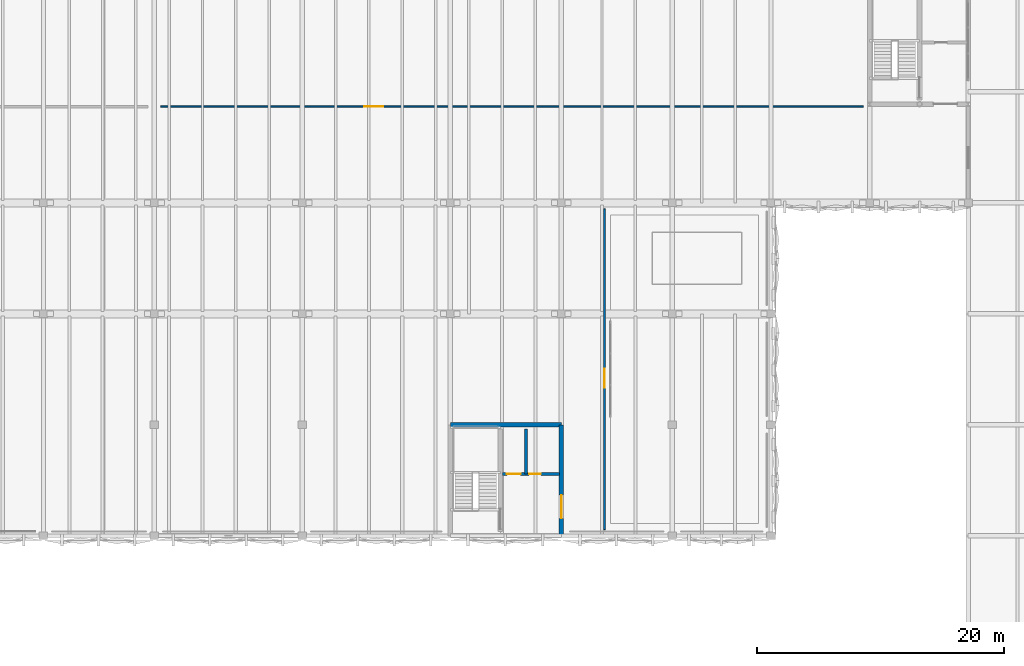
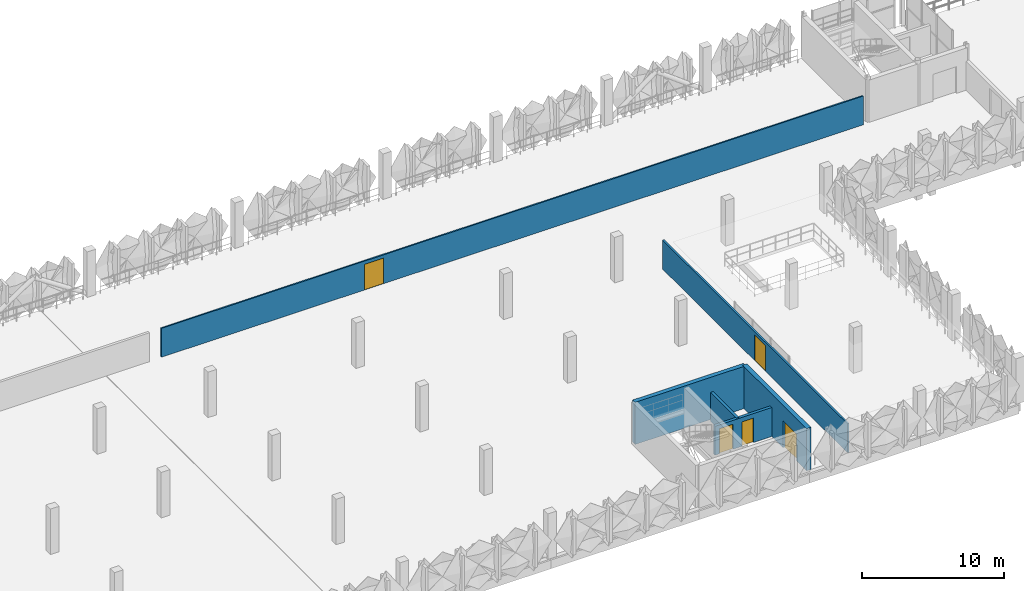
# One storey, part 30 of 52: 6 walls, 5 doors, 5 openings.
"""IFC4 building model written with IfcOpenShell, lengths in metres."""

import ifcopenshell
import ifcopenshell.guid

model = None  # the IFC model being written
_history = None  # IfcOwnerHistory: only IFC2X3 demands one
_inside = {}  # id of a spatial element -> (the spatial element, [elements in it])
_under = {}  # id of a project, library or spatial element -> (it, [spatial elements below it])
_declared = {}  # id of a project -> (the project, [libraries it declares])
_typed = {}  # id of a type object -> (the type object, [elements of that type])
_made_of = {}  # id of a material, layer set ... -> (it, [elements and type objects made of it])


def new_model(schema):
    """Start an empty IFC model of exactly this schema.

    Asked for "IFC4X3", IfcOpenShell would pick the latest addendum, in which some entities
    have other attributes; the version numbers below select the first issue.
    IFC2X3 requires an IfcOwnerHistory on every rooted entity: one is made here for all.
    """
    global model, _history
    if schema == "IFC4X3":
        model = ifcopenshell.file(schema_version=(4, 3, 0, 0))
    else:
        model = ifcopenshell.file(schema=schema)
    _inside.clear()
    _under.clear()
    _declared.clear()
    _typed.clear()
    _made_of.clear()
    _history = None
    if model.schema == "IFC2X3":
        org = make("IfcOrganization", Name="unknown")
        user = make(
            "IfcPersonAndOrganization",
            ThePerson=make("IfcPerson", FamilyName="unknown"),
            TheOrganization=org,
        )
        app = make(
            "IfcApplication",
            ApplicationDeveloper=org,
            Version="unknown",
            ApplicationFullName="unknown",
            ApplicationIdentifier="unknown",
        )
        _history = make(
            "IfcOwnerHistory",
            OwningUser=user,
            OwningApplication=app,
            ChangeAction="ADDED",
            CreationDate=0,
        )
    return model


def make(cls, **values):
    """One entity of the class cls with the attributes given. An attribute that is None is left unset."""
    return model.create_entity(
        cls, **{name: value for name, value in values.items() if value is not None}
    )


def rooted(cls, **values):
    """An entity with a GlobalId (a new one), such as an element, a storey or a relation."""
    return make(cls, GlobalId=ifcopenshell.guid.new(), OwnerHistory=_history, **values)


def si_unit(unit_type, name, prefix=None):
    """IfcSIUnit, for example si_unit("LENGTHUNIT", "METRE", prefix="MILLI")."""
    return make("IfcSIUnit", UnitType=unit_type, Prefix=prefix, Name=name)


def derived_unit(unit_type, elements):
    """IfcDerivedUnit: a product of units, each with its exponent."""
    return make(
        "IfcDerivedUnit",
        Elements=[
            make("IfcDerivedUnitElement", Unit=unit, Exponent=power)
            for unit, power in elements
        ],
        UnitType=unit_type,
    )


def assignment(units):
    """IfcUnitAssignment: the units of a project."""
    return None if units is None else make("IfcUnitAssignment", Units=units)


def point(xyz):
    """IfcCartesianPoint."""
    return None if xyz is None else make("IfcCartesianPoint", Coordinates=xyz)


def direction(xyz):
    """IfcDirection."""
    return None if xyz is None else make("IfcDirection", DirectionRatios=xyz)


def frame(location, z_axis=None, x_axis=None):
    """IfcAxis2Placement3D, a coordinate frame: its origin and axes. An axis left out is left unset."""
    return make(
        "IfcAxis2Placement3D",
        Location=point(location),
        Axis=direction(z_axis),
        RefDirection=direction(x_axis),
    )


def frame_2d(location, x_axis=None):
    """IfcAxis2Placement2D, a coordinate frame in the plane: its origin and x axis."""
    return make(
        "IfcAxis2Placement2D", Location=point(location), RefDirection=direction(x_axis)
    )


def origin():
    """The frame at (0, 0, 0) with its axes left unset."""
    return frame((0.0, 0.0, 0.0))


def place(relative_to, where):
    """IfcLocalPlacement: puts the frame where relative to a parent placement (None: the world)."""
    return make(
        "IfcLocalPlacement", PlacementRelTo=relative_to, RelativePlacement=where
    )


def context(
    kind, dimensions, precision=None, world=None, true_north=None, identifier=None
):
    """IfcGeometricRepresentationContext, for example the 3D "Model" context."""
    return make(
        "IfcGeometricRepresentationContext",
        ContextIdentifier=identifier,
        ContextType=kind,
        CoordinateSpaceDimension=dimensions,
        Precision=precision,
        WorldCoordinateSystem=world,
        TrueNorth=true_north,
    )


def subcontext(parent, identifier, kind, view, scale=None):
    """IfcGeometricRepresentationSubContext, for example "Body" below "Model"."""
    return make(
        "IfcGeometricRepresentationSubContext",
        ContextIdentifier=identifier,
        ContextType=kind,
        ParentContext=parent,
        TargetScale=scale,
        TargetView=view,
    )


def project(units=None, contexts=None):
    """IfcProject with its units and contexts."""
    return rooted(
        "IfcProject",
        Name="project",
        RepresentationContexts=contexts,
        UnitsInContext=assignment(units),
    )


def spatial(cls, under=None, at=None, **own):
    """A site, building, storey or space (cls), placed at a placement, below another one or the project."""
    s = rooted(cls, ObjectPlacement=at, **own)
    if under is not None:
        _under.setdefault(under.id(), (under, []))[1].append(s)
    return s


def profile(cls, at=None, kind="AREA", **sizes):
    """A parametric profile (cls). Its sizes go by their IFC names, for example OverallWidth=200.0."""
    return make(cls, ProfileType=kind, Position=at, **sizes)


def rectangle(**sizes):
    """IfcRectangleProfileDef."""
    return profile("IfcRectangleProfileDef", **sizes)


def extrude(swept, where, along, depth):
    """IfcExtrudedAreaSolid: the profile swept, set in the frame where, extruded along a direction by depth."""
    return make(
        "IfcExtrudedAreaSolid",
        SweptArea=swept,
        Position=where,
        ExtrudedDirection=direction(along),
        Depth=depth,
    )


def shape(context_of_items, identifier, shape_type, items):
    """IfcShapeRepresentation: the items that make up one representation, for example the "Body"."""
    return make(
        "IfcShapeRepresentation",
        ContextOfItems=context_of_items,
        RepresentationIdentifier=identifier,
        RepresentationType=shape_type,
        Items=items,
    )


def material(Name=None, Category=None):
    """IfcMaterial."""
    return make("IfcMaterial", Name=Name, Category=Category)


def layer(
    of_material, thickness, ventilated=None, Name=None, Category=None, Priority=None
):
    """IfcMaterialLayer: one layer of a wall or slab, of a material (None: an air gap)."""
    return make(
        "IfcMaterialLayer",
        Material=of_material,
        LayerThickness=thickness,
        IsVentilated=ventilated,
        Name=Name,
        Category=Category,
        Priority=Priority,
    )


def layer_set(layers, Name=None):
    """IfcMaterialLayerSet."""
    return make("IfcMaterialLayerSet", MaterialLayers=layers, LayerSetName=Name)


def made_of(thing, what):
    """Note that an element or type object is made of a material, layer set ...; save() writes the relation."""
    if what is not None:
        _made_of.setdefault(what.id(), (what, []))[1].append(thing)
    return thing


def type_object(cls, material=None, **own):
    """A type object (cls), such as IfcWallType, which elements share."""
    return made_of(rooted(cls, **own), material)


def element(
    cls,
    number,
    at=None,
    inside=None,
    cuts=None,
    type_object=None,
    material=None,
    context=None,
    identifier="Body",
    shape_type=None,
    held_by="IfcProductDefinitionShape",
    body=None,
    shapes=None,
    **own,
):
    """One element of the class cls, such as IfcWall. Its Tag is "e" and its number.

    at: its placement. inside: the storey or other place that contains it. cuts: it is an
    opening in that element (IfcRelVoidsElement). A single representation is given by context,
    identifier, shape_type and body (its items); several are given by shapes. held_by: the class
    of the entity that holds the representations. save() writes the other relations.
    """
    e = rooted(cls, Tag="e%d" % number, ObjectPlacement=at, **own)
    if body is not None:
        shapes = [shape(context, identifier, shape_type, body)]
    if shapes is not None:
        e.Representation = make(held_by, Representations=shapes)
    if inside is not None:
        _inside.setdefault(inside.id(), (inside, []))[1].append(e)
    if cuts is not None:
        rooted(
            "IfcRelVoidsElement", RelatingBuildingElement=cuts, RelatedOpeningElement=e
        )
    if type_object is not None:
        _typed.setdefault(type_object.id(), (type_object, []))[1].append(e)
    return made_of(e, material)


def fill(opening, filler):
    """IfcRelFillsElement: the door or window that sits in an opening."""
    return rooted(
        "IfcRelFillsElement",
        RelatingOpeningElement=opening,
        RelatedBuildingElement=filler,
    )


def aggregate(whole, parts):
    """IfcRelAggregates: a whole, such as a stair, and the parts it consists of."""
    return rooted("IfcRelAggregates", RelatingObject=whole, RelatedObjects=parts)


def save(model, path):
    """Write the relations noted so far, then the file.

    IfcRelAggregates (storeys below a building ...), IfcRelContainedInSpatialStructure (elements
    in a storey), IfcRelDefinesByType, IfcRelAssociatesMaterial and IfcRelDeclares: one each for
    every whole, place, type object, material and project.
    """
    for whole, parts in _under.values():
        aggregate(whole, parts)
    for where, things in _inside.values():
        rooted(
            "IfcRelContainedInSpatialStructure",
            RelatedElements=things,
            RelatingStructure=where,
        )
    for kind, things in _typed.values():
        rooted("IfcRelDefinesByType", RelatedObjects=things, RelatingType=kind)
    for what, things in _made_of.values():
        rooted("IfcRelAssociatesMaterial", RelatedObjects=things, RelatingMaterial=what)
    for by, libraries in _declared.values():
        rooted("IfcRelDeclares", RelatingContext=by, RelatedDefinitions=libraries)
    model.write(path)


model = new_model("IFC4")

# Units and contexts
model_context = context("Model", 3, precision=1e-05, world=origin(), true_north=direction((0.0, 1.0)))
body_context = subcontext(model_context, "Body", "Model", "MODEL_VIEW")
ifc_project = project(units=[si_unit("LENGTHUNIT", "METRE"), si_unit("AREAUNIT", "SQUARE_METRE"), si_unit("VOLUMEUNIT", "CUBIC_METRE"), si_unit("PLANEANGLEUNIT", "RADIAN"), si_unit("MASSUNIT", "GRAM", prefix="KILO"), si_unit("THERMODYNAMICTEMPERATUREUNIT", "KELVIN"), derived_unit("THERMALTRANSMITTANCEUNIT", [(si_unit("POWERUNIT", "WATT"), 1), (si_unit("AREAUNIT", "SQUARE_METRE"), -1), (si_unit("THERMODYNAMICTEMPERATUREUNIT", "KELVIN"), -1)])], contexts=[model_context])

# Site, building, storey
site_placement = place(None, origin())
site = spatial("IfcSite", under=ifc_project, at=site_placement, CompositionType="ELEMENT")
building_placement = place(site_placement, origin())
building = spatial("IfcBuilding", under=site, at=building_placement, Name="Haiyu Intermodal Mobility Hub", CompositionType="ELEMENT")
storey_placement = place(building_placement, frame((0.0, 0.0, 21.199951171875)))
storey = spatial("IfcBuildingStorey", under=building, at=storey_placement, Name="L05", CompositionType="ELEMENT", Elevation=21.199951171875)

# Wall
ifc_material_1 = material(Name="Autoclaved aerated concrete block A5.0", Category="concrete")
ifc_layer_1 = layer(ifc_material_1, 0.22998046875)
ifc_layer_set_1 = layer_set([ifc_layer_1], Name="Autoclaved aerated concrete block A5.0")
wall_type_1 = type_object("IfcWallType", Name="WAL-WI01", PredefinedType="PARTITIONING", material=ifc_layer_set_1)
wall_1_placement = place(storey_placement, frame((126.1298828125, 109.0, 0.0), z_axis=(0.0, 0.0, 1.0), x_axis=(0.0, 1.0, 0.0)))
element("IfcWall", 1, at=wall_1_placement, inside=storey, type_object=wall_type_1, Name="WAL-CORE-C6-LSH-L05", PredefinedType="PARTITIONING", context=body_context, shape_type="SweptSolid", body=[
    extrude(rectangle(XDim=3.64990234375, YDim=0.22998046875, at=frame_2d((1.824951171875, 0.0))), origin(), (0.0, 0.0, 1.0), 2.47998046875),
])

# Wall, openings, doors
wall_2_placement = place(storey_placement, frame((124.2099609375, 109.0, 0.0), z_axis=(0.0, 0.0, 1.0), x_axis=(1.0, 0.0, 0.0)))
wall_2 = element("IfcWall", 2, at=wall_2_placement, inside=storey, type_object=wall_type_1, Name="WAL-CORE-C6-LFT-L05", PredefinedType="PARTITIONING", context=body_context, shape_type="SweptSolid", body=[
    extrude(rectangle(XDim=4.630126953125, YDim=0.22998046875, at=frame_2d((2.31494140625, 0.0))), origin(), (0.0, 0.0, 1.0), 2.47998046875),
])
opening_1_placement = place(wall_2_placement, frame((0.3798828125, 0.0, 0.0)))
opening_1 = element("IfcOpeningElement", 3, at=opening_1_placement, cuts=wall_2, Name="Opening LD01", PredefinedType="OPENING", context=body_context, shape_type="SweptSolid", body=[
    extrude(rectangle(XDim=1.10009765625, YDim=2.14990234375, at=frame_2d((0.550048828125, 1.074951171875))), frame((0.0, 0.125, 0.0), z_axis=(0.0, -1.0, 0.0), x_axis=(1.0, 0.0, 0.0)), (0.0, 0.0, 1.0), 0.25),
])
opening_2_placement = place(wall_2_placement, frame((2.179931640625, 0.0, 0.0)))
opening_2 = element("IfcOpeningElement", 4, at=opening_2_placement, cuts=wall_2, Name="Opening DI07", PredefinedType="OPENING", context=body_context, shape_type="SweptSolid", body=[
    extrude(rectangle(XDim=0.949951171875, YDim=2.10009765625, at=frame_2d((0.47509765625, 1.050048828125))), frame((0.0, 0.125, 0.0), z_axis=(0.0, -1.0, 0.0), x_axis=(1.0, 0.0, 0.0)), (0.0, 0.0, 1.0), 0.25),
])
ifc_material_2 = material(Name="Steel Q355C", Category="steel")
door_type_1 = type_object("IfcDoorType", Name="DR-DI07", OperationType="NOTDEFINED", PredefinedType="DOOR", material=ifc_material_2)
door_1_placement = place(opening_2_placement, origin())
door_1 = element("IfcDoor", 5, at=door_1_placement, inside=storey, type_object=door_type_1, Name="Core C6 Accessible WC Door L05", OperationType="SINGLE_SWING_RIGHT", OverallHeight=2.10009765625, OverallWidth=0.949951171875, PredefinedType="DOOR", context=body_context, shape_type="SweptSolid", body=[
    extrude(rectangle(XDim=0.949951171875, YDim=2.10009765625, at=frame_2d((0.47509765625, 1.050048828125))), frame((0.0, 0.02490234375, 0.0), z_axis=(0.0, -1.0, 0.0), x_axis=(1.0, 0.0, 0.0)), (0.0, 0.0, 1.0), 0.050048828125),
])
fill(opening_2, door_1)
door_type_2 = type_object("IfcDoorType", Name="DR-LD01", OperationType="DOUBLE_DOOR_SLIDING", PredefinedType="DOOR", material=ifc_material_2)
door_2_placement = place(opening_1_placement, origin())
door_2 = element("IfcDoor", 6, at=door_2_placement, inside=storey, type_object=door_type_2, Name="Lift FL-03 Sliding Landing Door L05", OperationType="SLIDING_TO_LEFT", OverallHeight=2.14990234375, OverallWidth=1.10009765625, PredefinedType="DOOR", context=body_context, shape_type="SweptSolid", body=[
    extrude(rectangle(XDim=1.10009765625, YDim=2.14990234375, at=frame_2d((0.550048828125, 1.074951171875))), frame((0.0, 0.02490234375, 0.0), z_axis=(0.0, -1.0, 0.0), x_axis=(1.0, 0.0, 0.0)), (0.0, 0.0, 1.0), 0.050048828125),
])
fill(opening_1, door_2)

# Wall, opening, door
ifc_material_3 = material(Name="Fire-rated gypsum and rockwool partition", Category="gypsum")
ifc_layer_2 = layer(ifc_material_3, 0.14990234375)
ifc_layer_set_2 = layer_set([ifc_layer_2], Name="Fire-rated gypsum and rockwool partition")
wall_type_2 = type_object("IfcWallType", Name="WAL-WI04", PredefinedType="PARTITIONING", material=ifc_layer_set_2)
wall_3_placement = place(storey_placement, frame((132.5, 104.5, 0.0), z_axis=(0.0, 0.0, 1.0), x_axis=(0.0, 1.0, 0.0)))
wall_3 = element("IfcWall", 7, at=wall_3_placement, inside=storey, type_object=wall_type_2, Name="WAL-INT-0042", PredefinedType="PARTITIONING", context=body_context, shape_type="SweptSolid", body=[
    extrude(rectangle(XDim=26.0, YDim=0.14990234375, at=frame_2d((13.0, 0.0))), origin(), (0.0, 0.0, 1.0), 2.47998046875),
])
opening_3_placement = place(wall_3_placement, frame((11.5, 0.0, 0.0)))
opening_3 = element("IfcOpeningElement", 8, at=opening_3_placement, cuts=wall_3, Name="Opening DI04", PredefinedType="OPENING", context=body_context, shape_type="SweptSolid", body=[
    extrude(rectangle(XDim=1.550048828125, YDim=2.199951171875, at=frame_2d((0.77490234375, 1.10009765625))), frame((0.0, 0.0849609375, 0.0), z_axis=(0.0, -1.0, 0.0), x_axis=(1.0, 0.0, 0.0)), (0.0, 0.0, 1.0), 0.169921875),
])
door_type_3 = type_object("IfcDoorType", Name="DR-DI04", OperationType="DOUBLE_DOOR_SINGLE_SWING", PredefinedType="DOOR", material=ifc_material_2)
door_3_placement = place(opening_3_placement, origin())
door_3 = element("IfcDoor", 9, at=door_3_placement, inside=storey, type_object=door_type_3, Name="Hub Administration Suite Door", OperationType="DOUBLE_SWING_LEFT", OverallHeight=2.199951171875, OverallWidth=1.550048828125, PredefinedType="DOOR", context=body_context, shape_type="SweptSolid", body=[
    extrude(rectangle(XDim=1.550048828125, YDim=2.199951171875, at=frame_2d((0.77490234375, 1.10009765625))), frame((0.0, 0.02490234375, 0.0), z_axis=(0.0, -1.0, 0.0), x_axis=(1.0, 0.0, 0.0)), (0.0, 0.0, 1.0), 0.050048828125),
])
fill(opening_3, door_3)

ifc_layer_3 = layer(ifc_material_3, 0.110107421875)
ifc_layer_set_3 = layer_set([ifc_layer_3], Name="Fire-rated gypsum and rockwool partition")
wall_type_3 = type_object("IfcWallType", Name="WAL-WI06", PredefinedType="PARTITIONING", material=ifc_layer_set_3)
wall_4_placement = place(storey_placement, frame((96.5, 138.800048828125, 0.0), z_axis=(0.0, 0.0, 1.0), x_axis=(1.0, 0.0, 0.0)))
wall_4 = element("IfcWall", 10, at=wall_4_placement, inside=storey, type_object=wall_type_3, Name="WAL-INT-0044", PredefinedType="PARTITIONING", context=body_context, shape_type="SweptSolid", body=[
    extrude(rectangle(XDim=57.0, YDim=0.110107421875, at=frame_2d((28.5, 0.0))), origin(), (0.0, 0.0, 1.0), 2.47998046875),
])
opening_4_placement = place(wall_4_placement, frame((16.5, 0.0, 0.0)))
opening_4 = element("IfcOpeningElement", 11, at=opening_4_placement, cuts=wall_4, Name="Opening DI04", PredefinedType="OPENING", context=body_context, shape_type="SweptSolid", body=[
    extrude(rectangle(XDim=1.550048828125, YDim=2.199951171875, at=frame_2d((0.77490234375, 1.10009765625))), frame((0.0, 0.06494140625, 0.0), z_axis=(0.0, -1.0, 0.0), x_axis=(1.0, 0.0, 0.0)), (0.0, 0.0, 1.0), 0.130126953125),
])
door_4_placement = place(opening_4_placement, origin())
door_4 = element("IfcDoor", 12, at=door_4_placement, inside=storey, type_object=door_type_3, Name="Multimodal Planning Room Door", OperationType="DOUBLE_SWING_LEFT", OverallHeight=2.199951171875, OverallWidth=1.550048828125, PredefinedType="DOOR", context=body_context, shape_type="SweptSolid", body=[
    extrude(rectangle(XDim=1.550048828125, YDim=2.199951171875, at=frame_2d((0.77490234375, 1.10009765625))), frame((0.0, 0.02490234375, 0.0), z_axis=(0.0, -1.0, 0.0), x_axis=(1.0, 0.0, 0.0)), (0.0, 0.0, 1.0), 0.050048828125),
])
fill(opening_4, door_4)

ifc_material_4 = material(Name="Concrete C40", Category="concrete")
ifc_layer_4 = layer(ifc_material_4, 0.35009765625)
ifc_layer_set_4 = layer_set([ifc_layer_4], Name="Concrete C40")
wall_type_4 = type_object("IfcWallType", Name="WAL-WS02", PredefinedType="SHEAR", material=ifc_layer_set_4)
wall_5_placement = place(storey_placement, frame((129.0, 104.0, 0.0), z_axis=(0.0, 0.0, 1.0), x_axis=(0.0, 1.0, 0.0)))
wall_5 = element("IfcWall", 13, at=wall_5_placement, inside=storey, type_object=wall_type_4, Name="WAL-CORE-C6-E-L05", PredefinedType="SHEAR", context=body_context, shape_type="SweptSolid", body=[
    extrude(rectangle(XDim=9.0, YDim=0.35009765625, at=frame_2d((4.5, 0.0))), origin(), (0.0, 0.0, 1.0), 3.6201171875),
])
opening_5_placement = place(wall_5_placement, frame((1.39990234375, 0.0, 0.0)))
opening_5 = element("IfcOpeningElement", 14, at=opening_5_placement, cuts=wall_5, Name="Opening DI01", PredefinedType="OPENING", context=body_context, shape_type="SweptSolid", body=[
    extrude(rectangle(XDim=1.89990234375, YDim=2.300048828125, at=frame_2d((0.949951171875, 1.14990234375))), frame((0.0, 0.18505859375, 0.0), z_axis=(0.0, -1.0, 0.0), x_axis=(1.0, 0.0, 0.0)), (0.0, 0.0, 1.0), 0.3701171875),
])
door_type_4 = type_object("IfcDoorType", Name="DR-DI01", OperationType="DOUBLE_DOOR_SINGLE_SWING", PredefinedType="DOOR", material=ifc_material_2)
door_5_placement = place(opening_5_placement, origin())
door_5 = element("IfcDoor", 15, at=door_5_placement, inside=storey, type_object=door_type_4, Name="Core C6 Lobby Fire Door L05", OperationType="SINGLE_SWING_LEFT", OverallHeight=2.300048828125, OverallWidth=1.89990234375, PredefinedType="DOOR", context=body_context, shape_type="SweptSolid", body=[
    extrude(rectangle(XDim=1.89990234375, YDim=2.300048828125, at=frame_2d((0.949951171875, 1.14990234375))), frame((0.0, 0.02490234375, 0.0), z_axis=(0.0, -1.0, 0.0), x_axis=(1.0, 0.0, 0.0)), (0.0, 0.0, 1.0), 0.050048828125),
])
fill(opening_5, door_5)

# Wall
wall_6_placement = place(storey_placement, frame((129.0, 113.0, 0.0), z_axis=(0.0, 0.0, 1.0), x_axis=(-1.0, 0.0, 0.0)))
element("IfcWall", 16, at=wall_6_placement, inside=storey, type_object=wall_type_4, Name="WAL-CORE-C6-N-L05", PredefinedType="SHEAR", context=body_context, shape_type="SweptSolid", body=[
    extrude(rectangle(XDim=9.0, YDim=0.35009765625, at=frame_2d((4.5, 0.0))), origin(), (0.0, 0.0, 1.0), 3.6201171875),
])

save(model, "model.ifc")
